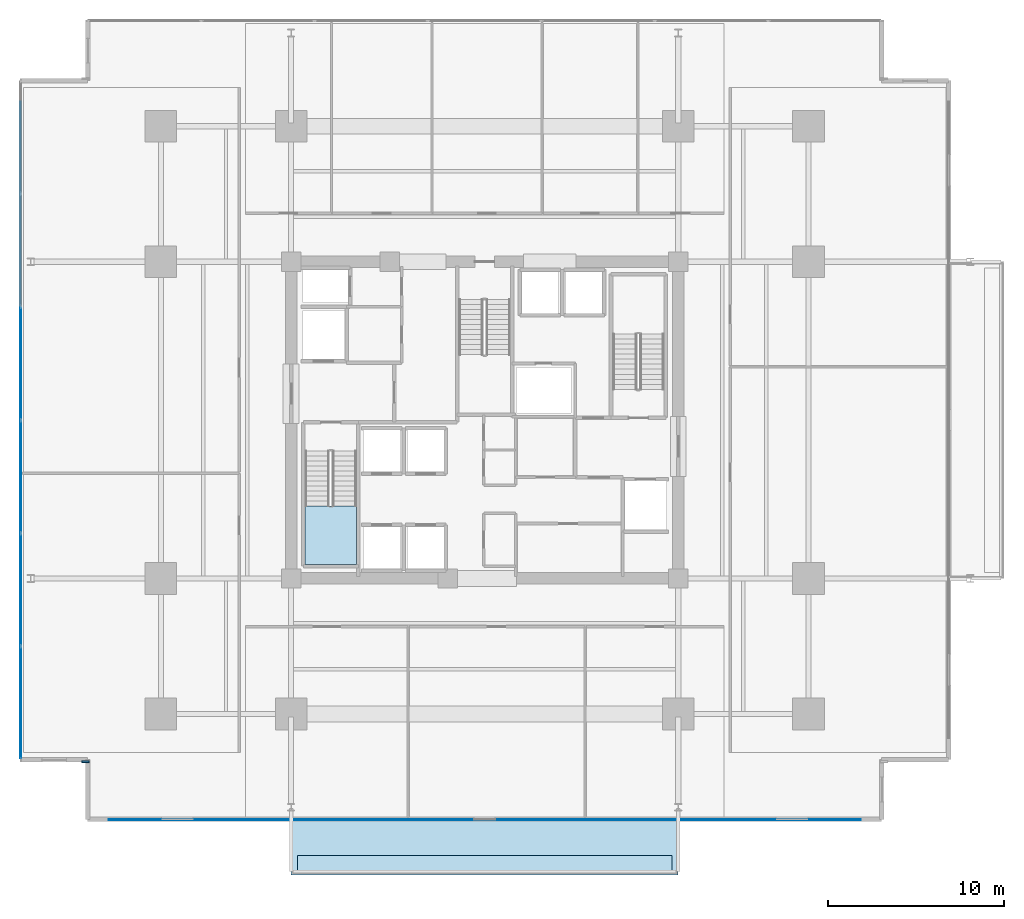
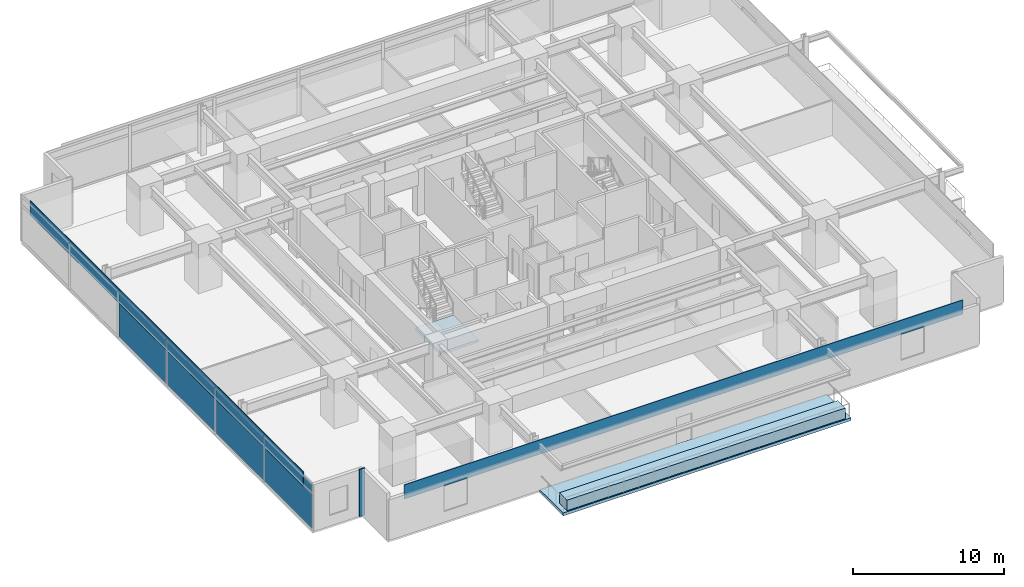
# One storey, part 12 of 23: 11 plates, 3 slabs, 2 elements without a shape of their own.
"""IFC4 building model written with IfcOpenShell, lengths in metres."""

from ifc_helpers import new_model, si_unit, direction, frame, origin, origin_2d, place, context, subcontext, project, spatial, polyline, rectangle, outline, extrude, material, layer, layer_set, type_object, element, aggregate, save


model = new_model("IFC4")

# Units and contexts
model_context = context("Model", 3, precision=1e-05, world=origin(), true_north=direction((0.0, 1.0)))
body_context = subcontext(model_context, "Body", "Model", "MODEL_VIEW")
ifc_project = project(units=[si_unit("LENGTHUNIT", "METRE"), si_unit("AREAUNIT", "SQUARE_METRE"), si_unit("VOLUMEUNIT", "CUBIC_METRE"), si_unit("PLANEANGLEUNIT", "RADIAN"), si_unit("MASSUNIT", "GRAM", prefix="KILO")], contexts=[model_context])

# Site, building, storey
site_placement = place(None, origin())
site = spatial("IfcSite", under=ifc_project, at=site_placement, CompositionType="ELEMENT")
building_placement = place(site_placement, origin())
building = spatial("IfcBuilding", under=site, at=building_placement, Name="Kovane Verandah Tower", CompositionType="ELEMENT")
storey_placement = place(building_placement, frame((0.0, 0.0, 91.60009765625)))
storey = spatial("IfcBuildingStorey", under=building, at=storey_placement, Name="L21", CompositionType="ELEMENT", Elevation=91.60009765625)

# Curtain wall, plates
ifc_material_1 = material(Name="Champagne Anodised Aluminium Frame with Low-E Clear Laminated Glass", Category="aluminium")
curtain_wall_type = type_object("IfcCurtainWallType", Name="CW-SYS-02-LOW", PredefinedType="NOTDEFINED", material=ifc_material_1)
curtain_wall_placement = place(storey_placement, origin())
curtain_wall = element("IfcCurtainWall", 1, at=curtain_wall_placement, inside=storey, type_object=curtain_wall_type, Name="L21 W Unitised Curtain Wall", PredefinedType="NOTDEFINED")
ifc_material_2 = material(Name="Pale Champagne Anodised Aluminium Insulated Spandrel", Category="aluminium")
ifc_layer_1 = layer(ifc_material_2, 0.0400390625)
ifc_layer_set_1 = layer_set([ifc_layer_1], Name="Pale Champagne Anodised Aluminium Insulated Spandrel")
plate_type_1 = type_object("IfcPlateType", Name="PL-CW-SPD-40", PredefinedType="SHEET", material=ifc_layer_set_1)
plate_1_placement = place(storey_placement, frame((13.635986328125, 30.7158203125, 3.02978515625), z_axis=(0.0, 0.0, 1.0), x_axis=(0.0, -1.0, 0.0)))
plate_1 = element("IfcPlate", 2, at=plate_1_placement, type_object=plate_type_1, Name="L21 W Unitised Curtain Wall Spandrel Panel 3", PredefinedType="SHEET", context=body_context, shape_type="SweptSolid", body=[
    extrude(rectangle(XDim=6.29150390625, YDim=0.0400390625, at=origin_2d()), origin(), (0.0, 0.0, 1.0), 0.639892578125),
])
plate_2_placement = place(storey_placement, frame((13.635986328125, 24.2841796875, 3.02978515625), z_axis=(0.0, 0.0, 1.0), x_axis=(0.0, -1.0, 0.0)))
plate_2 = element("IfcPlate", 3, at=plate_2_placement, type_object=plate_type_1, Name="L21 W Unitised Curtain Wall Spandrel Panel 4", PredefinedType="SHEET", context=body_context, shape_type="SweptSolid", body=[
    extrude(rectangle(XDim=6.29150390625, YDim=0.0400390625, at=origin_2d()), origin(), (0.0, 0.0, 1.0), 0.639892578125),
])
plate_3_placement = place(storey_placement, frame((13.635986328125, 17.8525390625, 3.02978515625), z_axis=(0.0, 0.0, 1.0), x_axis=(0.0, -1.0, 0.0)))
plate_3 = element("IfcPlate", 4, at=plate_3_placement, type_object=plate_type_1, Name="L21 W Unitised Curtain Wall Spandrel Panel 5", PredefinedType="SHEET", context=body_context, shape_type="SweptSolid", body=[
    extrude(rectangle(XDim=6.29150390625, YDim=0.0400390625, at=origin_2d()), origin(), (0.0, 0.0, 1.0), 0.639892578125),
])
plate_4_placement = place(storey_placement, frame((13.635986328125, 11.4208984375, 3.02978515625), z_axis=(0.0, 0.0, 1.0), x_axis=(0.0, -1.0, 0.0)))
plate_4 = element("IfcPlate", 5, at=plate_4_placement, type_object=plate_type_1, Name="L21 W Unitised Curtain Wall Spandrel Panel 6", PredefinedType="SHEET", context=body_context, shape_type="SweptSolid", body=[
    extrude(rectangle(XDim=6.29150390625, YDim=0.0400390625, at=origin_2d()), origin(), (0.0, 0.0, 1.0), 0.639892578125),
])
ifc_material_3 = material(Name="Clear Low-E Laminated Double Glazing", Category="glass")
ifc_layer_2 = layer(ifc_material_3, 0.031982421875)
ifc_layer_set_2 = layer_set([ifc_layer_2], Name="Clear Low-E Laminated Double Glazing")
plate_type_2 = type_object("IfcPlateType", Name="PL-CW-VIS-32", PredefinedType="CURTAIN_PANEL", material=ifc_layer_set_2)
plate_5_placement = place(storey_placement, frame((13.635986328125, 30.7158203125, 0.099853515625), z_axis=(0.0, 0.0, 1.0), x_axis=(0.0, -1.0, 0.0)))
plate_5 = element("IfcPlate", 6, at=plate_5_placement, type_object=plate_type_2, Name="L21 W Unitised Curtain Wall Vision Panel 3", PredefinedType="CURTAIN_PANEL", context=body_context, shape_type="SweptSolid", body=[
    extrude(rectangle(XDim=6.29150390625, YDim=0.031982421875, at=origin_2d()), origin(), (0.0, 0.0, 1.0), 2.830078125),
])
plate_6_placement = place(storey_placement, frame((13.635986328125, 24.2841796875, 0.099853515625), z_axis=(0.0, 0.0, 1.0), x_axis=(0.0, -1.0, 0.0)))
plate_6 = element("IfcPlate", 7, at=plate_6_placement, type_object=plate_type_2, Name="L21 W Unitised Curtain Wall Vision Panel 4", PredefinedType="CURTAIN_PANEL", context=body_context, shape_type="SweptSolid", body=[
    extrude(rectangle(XDim=6.29150390625, YDim=0.031982421875, at=origin_2d()), origin(), (0.0, 0.0, 1.0), 2.830078125),
])
plate_7_placement = place(storey_placement, frame((13.635986328125, 17.8525390625, 0.099853515625), z_axis=(0.0, 0.0, 1.0), x_axis=(0.0, -1.0, 0.0)))
plate_7 = element("IfcPlate", 8, at=plate_7_placement, type_object=plate_type_2, Name="L21 W Unitised Curtain Wall Vision Panel 5", PredefinedType="CURTAIN_PANEL", context=body_context, shape_type="SweptSolid", body=[
    extrude(rectangle(XDim=6.29150390625, YDim=0.031982421875, at=origin_2d()), origin(), (0.0, 0.0, 1.0), 2.830078125),
])
plate_8_placement = place(storey_placement, frame((13.635986328125, 11.4208984375, 0.099853515625), z_axis=(0.0, 0.0, 1.0), x_axis=(0.0, -1.0, 0.0)))
plate_8 = element("IfcPlate", 9, at=plate_8_placement, type_object=plate_type_2, Name="L21 W Unitised Curtain Wall Vision Panel 6", PredefinedType="CURTAIN_PANEL", context=body_context, shape_type="SweptSolid", body=[
    extrude(rectangle(XDim=6.29150390625, YDim=0.031982421875, at=origin_2d()), origin(), (0.0, 0.0, 1.0), 2.830078125),
])
aggregate(curtain_wall, [plate_5, plate_1, plate_6, plate_2, plate_7, plate_3, plate_8, plate_4])

# Plates
ifc_material_4 = material(Name="Timber-Toned Subtropical Aluminium Vertical Blade", Category="wood")
ifc_layer_3 = layer(ifc_material_4, 0.090087890625)
ifc_layer_set_3 = layer_set([ifc_layer_3], Name="Timber-Toned Subtropical Aluminium Vertical Blade")
plate_type_3 = type_object("IfcPlateType", Name="PL-FIN-90", PredefinedType="USERDEFINED", material=ifc_layer_set_3)
plate_9_placement = place(storey_placement, frame((17.31591796875, 8.085205078125, -0.02001953125), z_axis=(0.0, 0.0, 1.0), x_axis=(1.0, 0.0, 0.0)))
element("IfcPlate", 10, at=plate_9_placement, inside=storey, type_object=plate_type_3, Name="L21 SW Timber-Toned Vertical Corner Fin", ObjectType="FIN", PredefinedType="USERDEFINED", context=body_context, shape_type="SweptSolid", body=[
    extrude(rectangle(XDim=0.419921875, YDim=0.090087890625, at=origin_2d()), origin(), (0.0, 0.0, 1.0), 3.820068359375),
])
ifc_material_5 = material(Name="Perforated Pale Champagne Anodised Aluminium Solar Screen", Category="aluminium")
ifc_layer_4 = layer(ifc_material_5, 0.050048828125)
ifc_layer_set_4 = layer_set([ifc_layer_4], Name="Perforated Pale Champagne Anodised Aluminium Solar Screen")
plate_type_4 = type_object("IfcPlateType", Name="PL-SCREEN-50", PredefinedType="USERDEFINED", material=ifc_layer_set_4)
plate_10_placement = place(storey_placement, frame((40.0, 4.7900390625, 2.85986328125), z_axis=(0.0, 0.0, 1.0), x_axis=(1.0, 0.0, 0.0)))
element("IfcPlate", 11, at=plate_10_placement, inside=storey, type_object=plate_type_4, Name="L21 S Perforated Champagne-Gold Solar Screen", ObjectType="SCREEN", PredefinedType="USERDEFINED", context=body_context, shape_type="SweptSolid", body=[
    extrude(rectangle(XDim=42.72802734375, YDim=0.050048828125, at=origin_2d()), origin(), (0.0, 0.0, 1.0), 1.14990234375),
])
plate_11_placement = place(storey_placement, frame((13.620849609375, 27.5, 2.85986328125), z_axis=(0.0, 0.0, 1.0), x_axis=(0.0, -1.0, 0.0)))
element("IfcPlate", 12, at=plate_11_placement, inside=storey, type_object=plate_type_4, Name="L21 W Perforated Champagne-Gold Solar Screen", ObjectType="SCREEN", PredefinedType="USERDEFINED", context=body_context, shape_type="SweptSolid", body=[
    extrude(rectangle(XDim=36.18994140625, YDim=0.050048828125, at=origin_2d()), origin(), (0.0, 0.0, 1.0), 1.14990234375),
])

# Slab
ifc_material_6 = material(Name="Concrete C45/55", Category="concrete")
ifc_layer_5 = layer(ifc_material_6, 0.239990234375)
ifc_layer_set_5 = layer_set([ifc_layer_5], Name="Concrete C45/55")
slab_type_1 = type_object("IfcSlabType", Name="SL-BALC-240", PredefinedType="FLOOR", material=ifc_layer_set_5)
slab_1_placement = place(storey_placement, frame((0.0, 0.0, -0.239990234375)))
element("IfcSlab", 13, at=slab_1_placement, inside=storey, type_object=slab_type_1, Name="L21 S Planted Verandah Balcony Slab", PredefinedType="FLOOR", context=body_context, shape_type="SweptSolid", body=[
    extrude(outline(polyline([(29.0, 1.655029296875), (51.0, 1.655029296875), (51.0, 4.80517578125), (29.0, 4.80517578125), (29.0, 1.655029296875)])), origin(), (0.0, 0.0, 1.0), 0.239990234375),
])

# Stair, slab
stair_type = type_object("IfcStairType", Name="ST-CORE-1380", PredefinedType="HALF_TURN_STAIR", material=ifc_material_6)
stair_placement = place(storey_placement, origin())
stair = element("IfcStair", 14, at=stair_placement, inside=storey, type_object=stair_type, Name="L21 Exit Stair ST-01", PredefinedType="HALF_TURN_STAIR")
ifc_layer_6 = layer(ifc_material_6, 0.199951171875)
ifc_layer_set_6 = layer_set([ifc_layer_6], Name="Concrete C45/55")
slab_type_2 = type_object("IfcSlabType", Name="SL-LAND-200", PredefinedType="LANDING", material=ifc_layer_set_6)
slab_2_placement = place(storey_placement, frame((0.0, 0.0, 1.7998046875)))
slab_2 = element("IfcSlab", 15, at=slab_2_placement, type_object=slab_type_2, Name="ST-01 landing 1", PredefinedType="LANDING", context=body_context, shape_type="SweptSolid", body=[
    extrude(outline(polyline([(29.800048828125, 22.614990234375), (29.800048828125, 19.300048828125), (32.719970703125, 19.300048828125), (32.719970703125, 22.614990234375), (29.800048828125, 22.614990234375)])), origin(), (0.0, 0.0, 1.0), 0.2001953125),
])
aggregate(stair, [slab_2])

# Slab
ifc_material_7 = material(Name="Architectural Precast Concrete C45/55 Planter Trough", Category="concrete")
ifc_layer_7 = layer(ifc_material_7, 0.219970703125)
ifc_layer_set_7 = layer_set([ifc_layer_7], Name="Architectural Precast Concrete C45/55 Planter Trough")
slab_type_3 = type_object("IfcSlabType", Name="SL-PLANTER-220", PredefinedType="USERDEFINED", material=ifc_layer_set_7)
slab_3_placement = place(storey_placement, origin())
element("IfcSlab", 16, at=slab_3_placement, inside=storey, type_object=slab_type_3, Name="L21 S Structural Tree Planter", ObjectType="PLANTER", PredefinedType="USERDEFINED", context=body_context, shape_type="SweptSolid", body=[
    extrude(outline(polyline([(29.35009765625, 1.755126953125), (50.64990234375, 1.755126953125), (50.64990234375, 2.755126953125), (29.35009765625, 2.755126953125), (29.35009765625, 1.755126953125)])), origin(), (0.0, 0.0, 1.0), 0.849853515625),
])

save(model, "model.ifc")
